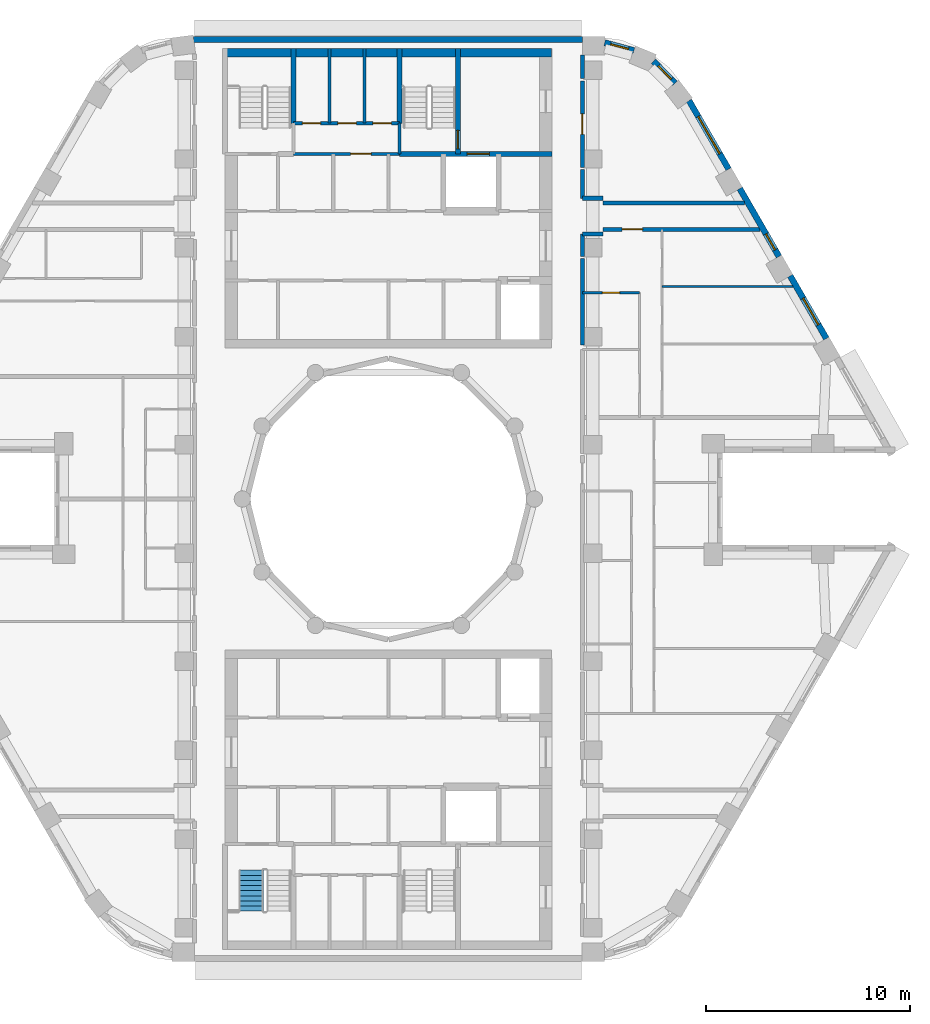
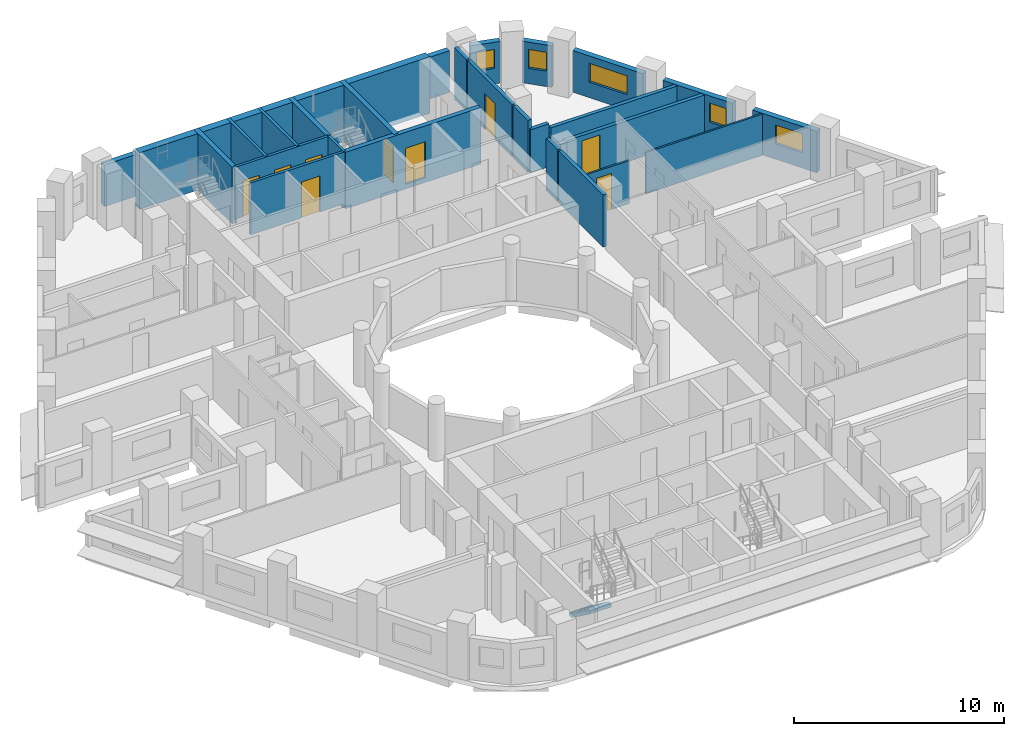
# One storey, part 8 of 12: 27 walls, 9 doors, 5 windows, 1 stair flight, 14 openings, 1 element without a shape of its own.
"""IFC4 building model written with IfcOpenShell, lengths in metres."""

from ifc_helpers import new_model, si_unit, direction, frame, frame_2d, origin, place, context, subcontext, project, spatial, polyline, rectangle, outline, extrude, material, layer, layer_set, type_object, element, fill, aggregate, save


model = new_model("IFC4")

# Units and contexts
model_context = context("Model", 3, precision=1e-05, world=origin(), true_north=direction((0.0, 1.0)))
body_context = subcontext(model_context, "Body", "Model", "MODEL_VIEW")
ifc_project = project(units=[si_unit("LENGTHUNIT", "METRE"), si_unit("AREAUNIT", "SQUARE_METRE"), si_unit("VOLUMEUNIT", "CUBIC_METRE"), si_unit("PLANEANGLEUNIT", "RADIAN"), si_unit("MASSUNIT", "GRAM", prefix="KILO")], contexts=[model_context])

# Site, building, storey
site_placement = place(None, origin())
site = spatial("IfcSite", under=ifc_project, at=site_placement, CompositionType="ELEMENT")
building_placement = place(site_placement, origin())
building = spatial("IfcBuilding", under=site, at=building_placement, Name="Nakaniwa Court", CompositionType="ELEMENT")
storey_placement = place(building_placement, frame((0.0, 0.0, 249.300048828125)))
storey = spatial("IfcBuildingStorey", under=building, at=storey_placement, Name="L65", CompositionType="ELEMENT", Elevation=249.300048828125)

# Walls
ifc_material_1 = material(Name="Acoustic double stud partition")
ifc_layer_1 = layer(ifc_material_1, 0.199951171875)
ifc_layer_set_1 = layer_set([ifc_layer_1], Name="Acoustic double stud partition")
wall_type_1 = type_object("IfcWallType", Name="Acoustic double stud partition 200", PredefinedType="PARTITIONING", material=ifc_layer_set_1)
wall_1_placement = place(storey_placement, frame((89.5, 87.537109375, 0.0), z_axis=(0.0, 0.0, 1.0), x_axis=(0.0, 1.0, 0.0)))
element("IfcWall", 1, at=wall_1_placement, inside=storey, type_object=wall_type_1, Name="Partition PW-065", PredefinedType="PARTITIONING", context=body_context, shape_type="SweptSolid", body=[
    extrude(rectangle(XDim=4.23583984375, YDim=0.199951171875, at=frame_2d((2.117919921875, 0.0))), origin(), (0.0, 0.0, 1.0), 3.02490234375),
])
wall_2_placement = place(storey_placement, frame((89.5, 91.886962890625, 0.0), z_axis=(0.0, 0.0, 1.0), x_axis=(0.0, 1.0, 0.0)))
element("IfcWall", 2, at=wall_2_placement, inside=storey, type_object=wall_type_1, Name="Partition PW-066", PredefinedType="PARTITIONING", context=body_context, shape_type="SweptSolid", body=[
    extrude(rectangle(XDim=1.091064453125, YDim=0.199951171875, at=frame_2d((0.54541015625, 0.0))), origin(), (0.0, 0.0, 1.0), 3.02490234375),
])
wall_3_placement = place(storey_placement, frame((89.5, 94.721923828125, 0.0), z_axis=(0.0, 0.0, 1.0), x_axis=(0.0, 1.0, 0.0)))
element("IfcWall", 3, at=wall_3_placement, inside=storey, type_object=wall_type_1, Name="Partition PW-067", PredefinedType="PARTITIONING", context=body_context, shape_type="SweptSolid", body=[
    extrude(rectangle(XDim=1.401123046875, YDim=0.199951171875, at=frame_2d((0.70068359375, 0.0))), origin(), (0.0, 0.0, 1.0), 3.02490234375),
])

# Wall, opening, door
wall_4_placement = place(storey_placement, frame((89.5, 100.472900390625, 0.0), z_axis=(0.0, 0.0, 1.0), x_axis=(0.0, -1.0, 0.0)))
wall_4 = element("IfcWall", 4, at=wall_4_placement, inside=storey, type_object=wall_type_1, Name="Partition PW-068", PredefinedType="PARTITIONING", context=body_context, shape_type="SweptSolid", body=[
    extrude(rectangle(XDim=4.23583984375, YDim=0.199951171875, at=frame_2d((2.117919921875, 0.0))), origin(), (0.0, 0.0, 1.0), 3.02490234375),
])
opening_1_placement = place(wall_4_placement, frame((1.617919921875, 0.0, 0.0)))
opening_1 = element("IfcOpeningElement", 5, at=opening_1_placement, cuts=wall_4, Name="Opening D-02-04", PredefinedType="OPENING", context=body_context, shape_type="SweptSolid", body=[
    extrude(rectangle(XDim=1.0, YDim=2.10009765625, at=frame_2d((0.5, 1.050048828125))), frame((0.0, 0.10986328125, 0.0), z_axis=(0.0, -1.0, 0.0), x_axis=(1.0, 0.0, 0.0)), (0.0, 0.0, 1.0), 0.219970703125),
])
ifc_material_2 = material(Name="Solid core timber door set, black veneer", Category="wood")
door_type_1 = type_object("IfcDoorType", Name="Internal door 1000", OperationType="NOTDEFINED", PredefinedType="DOOR", material=ifc_material_2)
door_1_placement = place(opening_1_placement, origin())
door_1 = element("IfcDoor", 6, at=door_1_placement, inside=storey, type_object=door_type_1, Name="Door D-02-04 L65-060", OperationType="SINGLE_SWING_LEFT", OverallHeight=2.10009765625, OverallWidth=1.0, PredefinedType="DOOR", context=body_context, shape_type="SweptSolid", body=[
    extrude(rectangle(XDim=1.0, YDim=2.10009765625, at=frame_2d((0.5, 1.050048828125))), frame((0.0, 0.02490234375, 0.0), z_axis=(0.0, -1.0, 0.0), x_axis=(1.0, 0.0, 0.0)), (0.0, 0.0, 1.0), 0.050048828125),
])
fill(opening_1, door_1)

# Wall
wall_5_placement = place(storey_placement, frame((89.5, 100.5869140625, 0.0), z_axis=(0.0, 0.0, 1.0), x_axis=(0.0, 1.0, 0.0)))
element("IfcWall", 7, at=wall_5_placement, inside=storey, type_object=wall_type_1, Name="Partition PW-069", PredefinedType="PARTITIONING", context=body_context, shape_type="SweptSolid", body=[
    extrude(rectangle(XDim=1.14599609375, YDim=0.199951171875, at=frame_2d((0.572998046875, 0.0))), origin(), (0.0, 0.0, 1.0), 3.02490234375),
])

# Wall, opening, door
wall_6_placement = place(storey_placement, frame((98.1865234375, 93.199951171875, 0.0), z_axis=(0.0, 0.0, 1.0), x_axis=(-1.0, 0.0, 0.0)))
wall_6 = element("IfcWall", 8, at=wall_6_placement, inside=storey, type_object=wall_type_1, Name="Partition PW-071", PredefinedType="PARTITIONING", context=body_context, shape_type="SweptSolid", body=[
    extrude(rectangle(XDim=7.6865234375, YDim=0.199951171875, at=frame_2d((3.84326171875, 0.0))), origin(), (0.0, 0.0, 1.0), 2.405029296875),
])
opening_2_placement = place(wall_6_placement, frame((5.737060546875, 0.0, 0.0)))
opening_2 = element("IfcOpeningElement", 9, at=opening_2_placement, cuts=wall_6, Name="Opening D-01-02", PredefinedType="OPENING", context=body_context, shape_type="SweptSolid", body=[
    extrude(rectangle(XDim=1.0, YDim=2.10009765625, at=frame_2d((0.5, 1.050048828125))), frame((0.0, 0.10986328125, 0.0), z_axis=(0.0, -1.0, 0.0), x_axis=(1.0, 0.0, 0.0)), (0.0, 0.0, 1.0), 0.219970703125),
])
door_type_2 = type_object("IfcDoorType", Name="Flat entrance door 1000", OperationType="NOTDEFINED", PredefinedType="DOOR", material=ifc_material_2)
door_2_placement = place(opening_2_placement, origin())
door_2 = element("IfcDoor", 10, at=door_2_placement, inside=storey, type_object=door_type_2, Name="Door D-01-02 L65-040", OperationType="SINGLE_SWING_LEFT", OverallHeight=2.10009765625, OverallWidth=1.0, PredefinedType="DOOR", context=body_context, shape_type="SweptSolid", body=[
    extrude(rectangle(XDim=1.0, YDim=2.10009765625, at=frame_2d((0.5, 1.050048828125))), frame((0.0, 0.02490234375, 0.0), z_axis=(0.0, -1.0, 0.0), x_axis=(1.0, 0.0, 0.0)), (0.0, 0.0, 1.0), 0.050048828125),
])
fill(opening_2, door_2)

# Walls
for number, where, z_axis, x_axis, name in (
    (11, (89.5, 92.97509765625, 0.0), (0.0, 0.0, 1.0), (1.0, 0.0, 0.0), "Partition PW-073"),
    (12, (89.5, 94.72509765625, 0.0), (0.0, 0.0, 1.0), (1.0, 0.0, 0.0), "Partition PW-075"),
):
    element("IfcWall", number, at=place(storey_placement, frame(where, z_axis=z_axis, x_axis=x_axis)), inside=storey, type_object=wall_type_1, Name=name, PredefinedType="PARTITIONING", context=body_context, shape_type="SweptSolid", body=[
        extrude(rectangle(XDim=1.0, YDim=0.199951171875, at=frame_2d((0.5, 0.0))), origin(), (0.0, 0.0, 1.0), 2.5048828125),
    ])
wall_7_placement = place(storey_placement, frame((90.5, 94.5, 0.0), z_axis=(0.0, 0.0, 1.0), x_axis=(1.0, 0.0, 0.0)))
element("IfcWall", 13, at=wall_7_placement, inside=storey, type_object=wall_type_1, Name="Partition PW-077", PredefinedType="PARTITIONING", context=body_context, shape_type="SweptSolid", body=[
    extrude(rectangle(XDim=6.93603515625, YDim=0.199951171875, at=frame_2d((3.468017578125, 0.0))), origin(), (0.0, 0.0, 1.0), 2.405029296875),
])

# Wall, opening, window
ifc_material_3 = material(Name="Charcoal ceramic cladding")
ifc_layer_2 = layer(ifc_material_3, 0.02, Name="Ceramic cladding")
ifc_material_4 = material(Name="Ventilated air cavity")
ifc_layer_3 = layer(ifc_material_4, 0.04, ventilated=True, Name="Ventilated cavity")
ifc_material_5 = material(Name="Mineral wool insulation")
ifc_layer_4 = layer(ifc_material_5, 0.1, Name="Insulation")
ifc_material_6 = material(Name="Cement bonded sheathing board")
ifc_layer_5 = layer(ifc_material_6, 0.012, Name="Sheathing")
ifc_material_7 = material(Name="Cold-formed galvanised stud frame with mineral wool infill")
ifc_layer_6 = layer(ifc_material_7, 0.1, Name="Stud frame")
ifc_material_8 = material(Name="Fire-rated gypsum plasterboard lining")
ifc_layer_7 = layer(ifc_material_8, 0.028, Name="Lining")
ifc_layer_set_2 = layer_set([ifc_layer_2, ifc_layer_3, ifc_layer_4, ifc_layer_5, ifc_layer_6, ifc_layer_7], Name="Charcoal ceramic faced external wall system")
wall_type_2 = type_object("IfcWallType", Name="Black ceramic faced external wall 300", PredefinedType="SOLIDWALL", material=ifc_layer_set_2)
wall_8_placement = place(storey_placement, frame((101.44580078125, 87.85498046875, 0.0), z_axis=(0.0, 0.0, 1.0), x_axis=(-0.500010404316, 0.866019396766, 0.0)))
wall_8 = element("IfcWall", 14, at=wall_8_placement, inside=storey, type_object=wall_type_2, Name="L65 external wall 03", PredefinedType="SOLIDWALL", context=body_context, shape_type="SweptSolid", body=[
    extrude(rectangle(XDim=3.54736328125, YDim=0.300048828125, at=frame_2d((1.773681640625, 0.0))), origin(), (0.0, 0.0, 1.0), 2.425048828125),
])
opening_3_placement = place(wall_8_placement, frame((0.780517578125, 0.0, 0.89990234375)))
opening_3 = element("IfcOpeningElement", 15, at=opening_3_placement, cuts=wall_8, Name="Opening W5.05", PredefinedType="OPENING", context=body_context, shape_type="SweptSolid", body=[
    extrude(rectangle(XDim=1.5, YDim=1.10009765625, at=frame_2d((0.75, 0.550048828125))), frame((0.0, 0.159912109375, 0.0), z_axis=(0.0, -1.0, 0.0), x_axis=(1.0, 0.0, 0.0)), (0.0, 0.0, 1.0), 0.320068359375),
])
ifc_material_9 = material(Name="Black anodised aluminium frame with dark low-E laminated double glazing", Category="aluminium")
window_type_1 = type_object("IfcWindowType", Name="Dark glass window 1500x1100 sill 900", PartitioningType="SINGLE_PANEL", PredefinedType="WINDOW", material=ifc_material_9)
window_1_placement = place(opening_3_placement, origin())
window_1 = element("IfcWindow", 16, at=window_1_placement, inside=storey, type_object=window_type_1, Name="L65 bedroom window 03-0", OverallHeight=1.10009765625, OverallWidth=1.5, PartitioningType="SINGLE_PANEL", PredefinedType="WINDOW", context=body_context, shape_type="SweptSolid", body=[
    extrude(rectangle(XDim=1.5, YDim=1.10009765625, at=frame_2d((0.75, 0.550048828125))), frame((0.0, 0.030029296875, 0.0), z_axis=(0.0, -1.0, 0.0), x_axis=(1.0, 0.0, 0.0)), (0.0, 0.0, 1.0), 0.06005859375),
])
fill(opening_3, window_1)

wall_9_placement = place(storey_placement, frame((99.126220703125, 91.87255859375, 0.0), z_axis=(0.0, 0.0, 1.0), x_axis=(-0.499984490703, 0.866034357896, 0.0)))
wall_9 = element("IfcWall", 17, at=wall_9_placement, inside=storey, type_object=wall_type_2, Name="L65 external wall 04", PredefinedType="SOLIDWALL", context=body_context, shape_type="SweptSolid", body=[
    extrude(rectangle(XDim=3.84423828125, YDim=0.300048828125, at=frame_2d((1.922119140625, 0.0))), origin(), (0.0, 0.0, 1.0), 2.425048828125),
])
opening_4_placement = place(wall_9_placement, frame((0.37744140625, 0.0, 0.89990234375)))
opening_4 = element("IfcOpeningElement", 18, at=opening_4_placement, cuts=wall_9, Name="Opening W9.06", PredefinedType="OPENING", context=body_context, shape_type="SweptSolid", body=[
    extrude(rectangle(XDim=0.89990234375, YDim=1.10009765625, at=frame_2d((0.449951171875, 0.550048828125))), frame((0.0, 0.159912109375, 0.0), z_axis=(0.0, -1.0, 0.0), x_axis=(1.0, 0.0, 0.0)), (0.0, 0.0, 1.0), 0.320068359375),
])
window_type_2 = type_object("IfcWindowType", Name="Dark glass window 900x1100 sill 900", PartitioningType="SINGLE_PANEL", PredefinedType="WINDOW", material=ifc_material_9)
window_2_placement = place(opening_4_placement, origin())
window_2 = element("IfcWindow", 19, at=window_2_placement, inside=storey, type_object=window_type_2, Name="L65 bedroom window 04-0", OverallHeight=1.10009765625, OverallWidth=0.89990234375, PartitioningType="SINGLE_PANEL", PredefinedType="WINDOW", context=body_context, shape_type="SweptSolid", body=[
    extrude(rectangle(XDim=0.89990234375, YDim=1.10009765625, at=frame_2d((0.449951171875, 0.550048828125))), frame((0.0, 0.030029296875, 0.0), z_axis=(0.0, -1.0, 0.0), x_axis=(1.0, 0.0, 0.0)), (0.0, 0.0, 1.0), 0.06005859375),
])
fill(opening_4, window_2)

wall_10_placement = place(storey_placement, frame((96.657958984375, 96.1474609375, 0.0), z_axis=(0.0, 0.0, 1.0), x_axis=(-0.500011218404, 0.866018926739, 0.0)))
wall_10 = element("IfcWall", 20, at=wall_10_placement, inside=storey, type_object=wall_type_2, Name="L65 external wall 05", PredefinedType="SOLIDWALL", context=body_context, shape_type="SweptSolid", body=[
    extrude(rectangle(XDim=3.87890625, YDim=0.300048828125, at=frame_2d((1.939453125, 0.0))), origin(), (0.0, 0.0, 1.0), 2.425048828125),
])
opening_5_placement = place(wall_10_placement, frame((0.878173828125, 0.0, 0.89990234375)))
opening_5 = element("IfcOpeningElement", 21, at=opening_5_placement, cuts=wall_10, Name="Opening W7.07", PredefinedType="OPENING", context=body_context, shape_type="SweptSolid", body=[
    extrude(rectangle(XDim=2.10009765625, YDim=1.10009765625, at=frame_2d((1.050048828125, 0.550048828125))), frame((0.0, 0.159912109375, 0.0), z_axis=(0.0, -1.0, 0.0), x_axis=(1.0, 0.0, 0.0)), (0.0, 0.0, 1.0), 0.320068359375),
])
window_type_3 = type_object("IfcWindowType", Name="Dark glass window 2100x1100 sill 900", PartitioningType="SINGLE_PANEL", PredefinedType="WINDOW", material=ifc_material_9)
window_3_placement = place(opening_5_placement, origin())
window_3 = element("IfcWindow", 22, at=window_3_placement, inside=storey, type_object=window_type_3, Name="L65 habitable room window 05-0", OverallHeight=1.10009765625, OverallWidth=2.10009765625, PartitioningType="SINGLE_PANEL", PredefinedType="WINDOW", context=body_context, shape_type="SweptSolid", body=[
    extrude(rectangle(XDim=2.10009765625, YDim=1.10009765625, at=frame_2d((1.050048828125, 0.550048828125))), frame((0.0, 0.030029296875, 0.0), z_axis=(0.0, -1.0, 0.0), x_axis=(1.0, 0.0, 0.0)), (0.0, 0.0, 1.0), 0.06005859375),
])
fill(opening_5, window_3)

wall_11_placement = place(storey_placement, frame((94.0341796875, 100.3583984375, 0.0), z_axis=(0.0, 0.0, 1.0), x_axis=(-0.698675602211, 0.71543860874, 0.0)))
wall_11 = element("IfcWall", 23, at=wall_11_placement, inside=storey, type_object=wall_type_2, Name="L65 external wall 06", PredefinedType="SOLIDWALL", context=body_context, shape_type="SweptSolid", body=[
    extrude(rectangle(XDim=1.5, YDim=0.300048828125, at=frame_2d((0.75, 0.0))), origin(), (0.0, 0.0, 1.0), 2.425048828125),
])
opening_6_placement = place(wall_11_placement, frame((0.27587890625, 0.0, 0.89990234375)))
opening_6 = element("IfcOpeningElement", 24, at=opening_6_placement, cuts=wall_11, Name="Opening W9.08", PredefinedType="OPENING", context=body_context, shape_type="SweptSolid", body=[
    extrude(rectangle(XDim=0.89990234375, YDim=1.10009765625, at=frame_2d((0.449951171875, 0.550048828125))), frame((0.0, 0.159912109375, 0.0), z_axis=(0.0, -1.0, 0.0), x_axis=(1.0, 0.0, 0.0)), (0.0, 0.0, 1.0), 0.320068359375),
])
window_4_placement = place(opening_6_placement, origin())
window_4 = element("IfcWindow", 25, at=window_4_placement, inside=storey, type_object=window_type_2, Name="L65 habitable room window 06-0", OverallHeight=1.10009765625, OverallWidth=0.89990234375, PartitioningType="SINGLE_PANEL", PredefinedType="WINDOW", context=body_context, shape_type="SweptSolid", body=[
    extrude(rectangle(XDim=0.89990234375, YDim=1.10009765625, at=frame_2d((0.449951171875, 0.550048828125))), frame((0.0, 0.030029296875, 0.0), z_axis=(0.0, -1.0, 0.0), x_axis=(1.0, 0.0, 0.0)), (0.0, 0.0, 1.0), 0.06005859375),
])
fill(opening_6, window_4)

wall_12_placement = place(storey_placement, frame((92.02099609375, 101.956298828125, 0.0), z_axis=(0.0, 0.0, 1.0), x_axis=(-0.965392564919, 0.260801065181, 0.0)))
wall_12 = element("IfcWall", 26, at=wall_12_placement, inside=storey, type_object=wall_type_2, Name="L65 external wall 07", PredefinedType="SOLIDWALL", context=body_context, shape_type="SweptSolid", body=[
    extrude(rectangle(XDim=1.48095703125, YDim=0.300048828125, at=frame_2d((0.740478515625, 0.0))), origin(), (0.0, 0.0, 1.0), 2.425048828125),
])
opening_7_placement = place(wall_12_placement, frame((0.280029296875, 0.0, 0.89990234375)))
opening_7 = element("IfcOpeningElement", 27, at=opening_7_placement, cuts=wall_12, Name="Opening W9.09", PredefinedType="OPENING", context=body_context, shape_type="SweptSolid", body=[
    extrude(rectangle(XDim=0.89990234375, YDim=1.10009765625, at=frame_2d((0.449951171875, 0.550048828125))), frame((0.0, 0.159912109375, 0.0), z_axis=(0.0, -1.0, 0.0), x_axis=(1.0, 0.0, 0.0)), (0.0, 0.0, 1.0), 0.320068359375),
])
window_5_placement = place(opening_7_placement, origin())
window_5 = element("IfcWindow", 28, at=window_5_placement, inside=storey, type_object=window_type_2, Name="L65 habitable room window 07-0", OverallHeight=1.10009765625, OverallWidth=0.89990234375, PartitioningType="SINGLE_PANEL", PredefinedType="WINDOW", context=body_context, shape_type="SweptSolid", body=[
    extrude(rectangle(XDim=0.89990234375, YDim=1.10009765625, at=frame_2d((0.449951171875, 0.550048828125))), frame((0.0, 0.030029296875, 0.0), z_axis=(0.0, -1.0, 0.0), x_axis=(1.0, 0.0, 0.0)), (0.0, 0.0, 1.0), 0.06005859375),
])
fill(opening_7, window_5)

# Wall
wall_13_placement = place(storey_placement, frame((89.499267578125, 102.5, 0.0), z_axis=(0.0, 0.0, 1.0), x_axis=(-1.0, 0.0, 0.0)))
element("IfcWall", 29, at=wall_13_placement, inside=storey, type_object=wall_type_2, Name="L65 external wall 08", PredefinedType="SOLIDWALL", context=body_context, shape_type="SweptSolid", body=[
    extrude(rectangle(XDim=19.033447265625, YDim=0.300048828125, at=frame_2d((9.5166015625, 0.0))), origin(), (0.0, 0.0, 1.0), 2.425048828125),
])

# Wall, opening, door
ifc_material_10 = material(Name="Blockwork partition", Category="masonry")
ifc_layer_8 = layer(ifc_material_10, 0.14990234375)
ifc_layer_set_3 = layer_set([ifc_layer_8], Name="Blockwork partition")
wall_type_3 = type_object("IfcWallType", Name="Blockwork partition 150", PredefinedType="PARTITIONING", material=ifc_layer_set_3)
wall_14_placement = place(storey_placement, frame((75.346923828125, 96.89990234375, 0.0), z_axis=(0.0, 0.0, 1.0), x_axis=(1.0, 0.0, 0.0)))
wall_14 = element("IfcWall", 30, at=wall_14_placement, inside=storey, type_object=wall_type_3, Name="Partition PW-019", PredefinedType="PARTITIONING", context=body_context, shape_type="SweptSolid", body=[
    extrude(rectangle(XDim=5.2060546875, YDim=0.14990234375, at=frame_2d((2.60302734375, 0.0))), origin(), (0.0, 0.0, 1.0), 3.02490234375),
])
opening_8_placement = place(wall_14_placement, frame((2.802978515625, 0.0, 0.0)))
opening_8 = element("IfcOpeningElement", 31, at=opening_8_placement, cuts=wall_14, Name="Opening D-23-01", PredefinedType="OPENING", context=body_context, shape_type="SweptSolid", body=[
    extrude(rectangle(XDim=1.0, YDim=2.10009765625, at=frame_2d((0.5, 1.050048828125))), frame((0.0, 0.0849609375, 0.0), z_axis=(0.0, -1.0, 0.0), x_axis=(1.0, 0.0, 0.0)), (0.0, 0.0, 1.0), 0.169921875),
])
ifc_material_11 = material(Name="Fire rated steel door set", Category="steel")
door_type_3 = type_object("IfcDoorType", Name="Service room door 1000", OperationType="NOTDEFINED", PredefinedType="DOOR", material=ifc_material_11)
door_3_placement = place(opening_8_placement, origin())
door_3 = element("IfcDoor", 32, at=door_3_placement, inside=storey, type_object=door_type_3, Name="Door D-23-01 L65-010", OperationType="SINGLE_SWING_LEFT", OverallHeight=2.10009765625, OverallWidth=1.0, PredefinedType="DOOR", context=body_context, shape_type="SweptSolid", body=[
    extrude(rectangle(XDim=1.0, YDim=2.10009765625, at=frame_2d((0.5, 1.050048828125))), frame((0.0, 0.02490234375, 0.0), z_axis=(0.0, -1.0, 0.0), x_axis=(1.0, 0.0, 0.0)), (0.0, 0.0, 1.0), 0.050048828125),
])
fill(opening_8, door_3)

# Wall, openings, doors
wall_15_placement = place(storey_placement, frame((75.35009765625, 98.39990234375, 0.0), z_axis=(0.0, 0.0, 1.0), x_axis=(1.0, 0.0, 0.0)))
wall_15 = element("IfcWall", 33, at=wall_15_placement, inside=storey, type_object=wall_type_3, Name="Partition PW-027", PredefinedType="PARTITIONING", context=body_context, shape_type="SweptSolid", body=[
    extrude(rectangle(XDim=5.199951171875, YDim=0.14990234375, at=frame_2d((2.60009765625, 0.0))), origin(), (0.0, 0.0, 1.0), 3.02490234375),
])
opening_9_placement = place(wall_15_placement, frame((0.43408203125, 0.0, 0.0)))
opening_9 = element("IfcOpeningElement", 34, at=opening_9_placement, cuts=wall_15, Name="Opening D-05-08", PredefinedType="OPENING", context=body_context, shape_type="SweptSolid", body=[
    extrude(rectangle(XDim=0.89990234375, YDim=2.10009765625, at=frame_2d((0.449951171875, 1.050048828125))), frame((0.0, 0.0849609375, 0.0), z_axis=(0.0, -1.0, 0.0), x_axis=(1.0, 0.0, 0.0)), (0.0, 0.0, 1.0), 0.169921875),
])
opening_10_placement = place(wall_15_placement, frame((2.176025390625, 0.0, 0.0)))
opening_10 = element("IfcOpeningElement", 35, at=opening_10_placement, cuts=wall_15, Name="Opening D-05-09", PredefinedType="OPENING", context=body_context, shape_type="SweptSolid", body=[
    extrude(rectangle(XDim=0.89990234375, YDim=2.10009765625, at=frame_2d((0.449951171875, 1.050048828125))), frame((0.0, 0.0849609375, 0.0), z_axis=(0.0, -1.0, 0.0), x_axis=(1.0, 0.0, 0.0)), (0.0, 0.0, 1.0), 0.169921875),
])
opening_11_placement = place(wall_15_placement, frame((3.89208984375, 0.0, 0.0)))
opening_11 = element("IfcOpeningElement", 36, at=opening_11_placement, cuts=wall_15, Name="Opening D-05-10", PredefinedType="OPENING", context=body_context, shape_type="SweptSolid", body=[
    extrude(rectangle(XDim=0.89990234375, YDim=2.10009765625, at=frame_2d((0.449951171875, 1.050048828125))), frame((0.0, 0.0849609375, 0.0), z_axis=(0.0, -1.0, 0.0), x_axis=(1.0, 0.0, 0.0)), (0.0, 0.0, 1.0), 0.169921875),
])
door_type_4 = type_object("IfcDoorType", Name="Service room door 900", OperationType="NOTDEFINED", PredefinedType="DOOR", material=ifc_material_11)
door_4_placement = place(opening_9_placement, origin())
door_4 = element("IfcDoor", 37, at=door_4_placement, inside=storey, type_object=door_type_4, Name="Door D-05-08 L65-011", OperationType="SINGLE_SWING_RIGHT", OverallHeight=2.10009765625, OverallWidth=0.89990234375, PredefinedType="DOOR", context=body_context, shape_type="SweptSolid", body=[
    extrude(rectangle(XDim=0.89990234375, YDim=2.10009765625, at=frame_2d((0.449951171875, 1.050048828125))), frame((0.0, 0.02490234375, 0.0), z_axis=(0.0, -1.0, 0.0), x_axis=(1.0, 0.0, 0.0)), (0.0, 0.0, 1.0), 0.050048828125),
])
fill(opening_9, door_4)
door_5_placement = place(opening_10_placement, origin())
door_5 = element("IfcDoor", 38, at=door_5_placement, inside=storey, type_object=door_type_4, Name="Door D-05-09 L65-012", OperationType="SINGLE_SWING_LEFT", OverallHeight=2.10009765625, OverallWidth=0.89990234375, PredefinedType="DOOR", context=body_context, shape_type="SweptSolid", body=[
    extrude(rectangle(XDim=0.89990234375, YDim=2.10009765625, at=frame_2d((0.449951171875, 1.050048828125))), frame((0.0, 0.02490234375, 0.0), z_axis=(0.0, -1.0, 0.0), x_axis=(1.0, 0.0, 0.0)), (0.0, 0.0, 1.0), 0.050048828125),
])
fill(opening_10, door_5)
door_6_placement = place(opening_11_placement, origin())
door_6 = element("IfcDoor", 39, at=door_6_placement, inside=storey, type_object=door_type_4, Name="Door D-05-10 L65-013", OperationType="SINGLE_SWING_RIGHT", OverallHeight=2.10009765625, OverallWidth=0.89990234375, PredefinedType="DOOR", context=body_context, shape_type="SweptSolid", body=[
    extrude(rectangle(XDim=0.89990234375, YDim=2.10009765625, at=frame_2d((0.449951171875, 1.050048828125))), frame((0.0, 0.02490234375, 0.0), z_axis=(0.0, -1.0, 0.0), x_axis=(1.0, 0.0, 0.0)), (0.0, 0.0, 1.0), 0.050048828125),
])
fill(opening_11, door_6)

# Walls
for number, where, z_axis, x_axis, name in (
    (40, (77.117919921875, 98.39990234375, 0.0), (0.0, 0.0, 1.0), (0.0, 1.0, 0.0), "Partition PW-028"),
    (41, (78.833984375, 98.39990234375, 0.0), (0.0, 0.0, 1.0), (0.0, 1.0, 0.0), "Partition PW-029"),
):
    element("IfcWall", number, at=place(storey_placement, frame(where, z_axis=z_axis, x_axis=x_axis)), inside=storey, type_object=wall_type_3, Name=name, PredefinedType="PARTITIONING", context=body_context, shape_type="SweptSolid", body=[
        extrude(rectangle(XDim=3.650146484375, YDim=0.14990234375, at=frame_2d((1.8251953125, 0.0))), origin(), (0.0, 0.0, 1.0), 3.02490234375),
    ])
ifc_material_12 = material(Name="Concrete C80/100", Category="concrete")
ifc_layer_9 = layer(ifc_material_12, 0.14990234375)
ifc_layer_set_4 = layer_set([ifc_layer_9], Name="Concrete C80/100")
wall_type_4 = type_object("IfcWallType", Name="Concrete core wall 150 C80", PredefinedType="SHEAR", material=ifc_layer_set_4)
wall_16_placement = place(storey_placement, frame((80.550048828125, 96.89990234375, -0.275146484375), z_axis=(0.0, 0.0, 1.0), x_axis=(0.0, 1.0, 0.0)))
element("IfcWall", 42, at=wall_16_placement, inside=storey, type_object=wall_type_4, Name="Core wall SW-25", PredefinedType="SHEAR", context=body_context, shape_type="SweptSolid", body=[
    extrude(rectangle(XDim=1.503173828125, YDim=0.14990234375, at=frame_2d((0.75146484375, 0.0))), origin(), (0.0, 0.0, 1.0), 3.300048828125),
])
ifc_layer_10 = layer(ifc_material_12, 0.39990234375)
ifc_layer_set_5 = layer_set([ifc_layer_10], Name="Concrete C80/100")
wall_type_5 = type_object("IfcWallType", Name="Concrete core wall 400 C80", PredefinedType="SHEAR", material=ifc_layer_set_5)
wall_17_placement = place(storey_placement, frame((72.00390625, 101.85009765625, -0.275146484375), z_axis=(0.0, 0.0, 1.0), x_axis=(1.0, 0.0, 0.0)))
element("IfcWall", 43, at=wall_17_placement, inside=storey, type_object=wall_type_5, Name="Core wall SW-126", PredefinedType="SHEAR", context=body_context, shape_type="SweptSolid", body=[
    extrude(rectangle(XDim=15.9921875, YDim=0.39990234375, at=frame_2d((7.99609375, 0.0))), origin(), (0.0, 0.0, 1.0), 3.300048828125),
])

# Wall, opening, door
ifc_layer_11 = layer(ifc_material_12, 0.25)
ifc_layer_set_6 = layer_set([ifc_layer_11], Name="Concrete C80/100")
wall_type_6 = type_object("IfcWallType", Name="Concrete shaft wall 250 C80", PredefinedType="SHEAR", material=ifc_layer_set_6)
wall_18_placement = place(storey_placement, frame((80.547119140625, 96.89990234375, -0.275146484375), z_axis=(0.0, 0.0, 1.0), x_axis=(1.0, 0.0, 0.0)))
wall_18 = element("IfcWall", 44, at=wall_18_placement, inside=storey, type_object=wall_type_6, Name="Core wall SW-18", PredefinedType="SHEAR", context=body_context, shape_type="SweptSolid", body=[
    extrude(rectangle(XDim=7.452880859375, YDim=0.25, at=frame_2d((3.7265625, 0.0))), origin(), (0.0, 0.0, 1.0), 3.300048828125),
])
opening_12_placement = place(wall_18_placement, frame((3.302001953125, 0.0, 0.27490234375)))
opening_12 = element("IfcOpeningElement", 45, at=opening_12_placement, cuts=wall_18, Name="Opening LD02", PredefinedType="OPENING", context=body_context, shape_type="SweptSolid", body=[
    extrude(rectangle(XDim=1.10009765625, YDim=2.10009765625, at=frame_2d((0.550048828125, 1.050048828125))), frame((0.0, 0.135009765625, 0.0), z_axis=(0.0, -1.0, 0.0), x_axis=(1.0, 0.0, 0.0)), (0.0, 0.0, 1.0), 0.27001953125),
])
ifc_material_13 = material(Name="Stainless steel sliding lift landing door", Category="steel")
door_type_5 = type_object("IfcDoorType", Name="Lift landing door 1100", OperationType="NOTDEFINED", PredefinedType="DOOR", material=ifc_material_13)
door_7_placement = place(opening_12_placement, origin())
door_7 = element("IfcDoor", 46, at=door_7_placement, inside=storey, type_object=door_type_5, Name="Lift landing door LD02 L65-002", OperationType="SLIDING_TO_LEFT", OverallHeight=2.10009765625, OverallWidth=1.10009765625, PredefinedType="DOOR", context=body_context, shape_type="SweptSolid", body=[
    extrude(rectangle(XDim=1.10009765625, YDim=2.10009765625, at=frame_2d((0.550048828125, 1.050048828125))), frame((0.0, 0.02490234375, 0.0), z_axis=(0.0, -1.0, 0.0), x_axis=(1.0, 0.0, 0.0)), (0.0, 0.0, 1.0), 0.050048828125),
])
fill(opening_12, door_7)

# Wall
wall_19_placement = place(storey_placement, frame((75.35009765625, 98.39697265625, -0.275146484375), z_axis=(0.0, 0.0, 1.0), x_axis=(0.0, 1.0, 0.0)))
element("IfcWall", 47, at=wall_19_placement, inside=storey, type_object=wall_type_6, Name="Core wall SW-22", PredefinedType="SHEAR", context=body_context, shape_type="SweptSolid", body=[
    extrude(rectangle(XDim=3.653076171875, YDim=0.25, at=frame_2d((1.82666015625, 0.0))), origin(), (0.0, 0.0, 1.0), 3.300048828125),
])

# Wall, opening, door
wall_20_placement = place(storey_placement, frame((83.39990234375, 102.050048828125, -0.275146484375), z_axis=(0.0, 0.0, 1.0), x_axis=(0.0, -1.0, 0.0)))
wall_20 = element("IfcWall", 48, at=wall_20_placement, inside=storey, type_object=wall_type_6, Name="Core wall SW-24", PredefinedType="SHEAR", context=body_context, shape_type="SweptSolid", body=[
    extrude(rectangle(XDim=5.150146484375, YDim=0.25, at=frame_2d((2.5751953125, 0.0))), origin(), (0.0, 0.0, 1.0), 3.300048828125),
])
opening_13_placement = place(wall_20_placement, frame((4.0, 0.0, 0.27490234375)))
opening_13 = element("IfcOpeningElement", 49, at=opening_13_placement, cuts=wall_20, Name="Opening D-11-01", PredefinedType="OPENING", context=body_context, shape_type="SweptSolid", body=[
    extrude(rectangle(XDim=0.89990234375, YDim=2.10009765625, at=frame_2d((0.449951171875, 1.050048828125))), frame((0.0, 0.135009765625, 0.0), z_axis=(0.0, -1.0, 0.0), x_axis=(1.0, 0.0, 0.0)), (0.0, 0.0, 1.0), 0.27001953125),
])
door_type_6 = type_object("IfcDoorType", Name="Stair door 900", OperationType="NOTDEFINED", PredefinedType="DOOR", material=ifc_material_11)
door_8_placement = place(opening_13_placement, origin())
door_8 = element("IfcDoor", 50, at=door_8_placement, inside=storey, type_object=door_type_6, Name="Door D-11-01 L65-015", OperationType="SINGLE_SWING_LEFT", OverallHeight=2.10009765625, OverallWidth=0.89990234375, PredefinedType="DOOR", context=body_context, shape_type="SweptSolid", body=[
    extrude(rectangle(XDim=0.89990234375, YDim=2.10009765625, at=frame_2d((0.449951171875, 1.050048828125))), frame((0.0, 0.02490234375, 0.0), z_axis=(0.0, -1.0, 0.0), x_axis=(1.0, 0.0, 0.0)), (0.0, 0.0, 1.0), 0.050048828125),
])
fill(opening_13, door_8)

# Wall
wall_21_placement = place(storey_placement, frame((80.550048828125, 98.39697265625, -0.275146484375), z_axis=(0.0, 0.0, 1.0), x_axis=(0.0, 1.0, 0.0)))
element("IfcWall", 51, at=wall_21_placement, inside=storey, type_object=wall_type_6, Name="Core wall SW-26", PredefinedType="SHEAR", context=body_context, shape_type="SweptSolid", body=[
    extrude(rectangle(XDim=3.653076171875, YDim=0.25, at=frame_2d((1.82666015625, 0.0))), origin(), (0.0, 0.0, 1.0), 3.300048828125),
])

# Wall, opening, door
ifc_material_14 = material(Name="Single stud plasterboard partition")
ifc_layer_12 = layer(ifc_material_14, 0.10009765625)
ifc_layer_set_7 = layer_set([ifc_layer_12], Name="Single stud plasterboard partition")
wall_type_7 = type_object("IfcWallType", Name="Single stud plasterboard partition 100", PredefinedType="PARTITIONING", material=ifc_layer_set_7)
wall_22_placement = place(storey_placement, frame((92.300048828125, 90.10009765625, 0.0), z_axis=(0.0, 0.0, 1.0), x_axis=(-1.0, 0.0, 0.0)))
wall_22 = element("IfcWall", 52, at=wall_22_placement, inside=storey, type_object=wall_type_7, Name="Partition PW-108", PredefinedType="PARTITIONING", context=body_context, shape_type="SweptSolid", body=[
    extrude(rectangle(XDim=2.800048828125, YDim=0.10009765625, at=frame_2d((1.39990234375, 0.0))), origin(), (0.0, 0.0, 1.0), 2.5048828125),
])
opening_14_placement = place(wall_22_placement, frame((0.97509765625, 0.0, 0.0)))
opening_14 = element("IfcOpeningElement", 53, at=opening_14_placement, cuts=wall_22, Name="Opening D-03-03", PredefinedType="OPENING", context=body_context, shape_type="SweptSolid", body=[
    extrude(rectangle(XDim=0.85009765625, YDim=2.10009765625, at=frame_2d((0.425048828125, 1.050048828125))), frame((0.0, 0.06005859375, 0.0), z_axis=(0.0, -1.0, 0.0), x_axis=(1.0, 0.0, 0.0)), (0.0, 0.0, 1.0), 0.1201171875),
])
ifc_material_15 = material(Name="Moisture sealed timber door set", Category="wood")
door_type_7 = type_object("IfcDoorType", Name="Bathroom door 850", OperationType="NOTDEFINED", PredefinedType="DOOR", material=ifc_material_15)
door_9_placement = place(opening_14_placement, origin())
door_9 = element("IfcDoor", 54, at=door_9_placement, inside=storey, type_object=door_type_7, Name="Door D-03-03 L65-042", OperationType="SINGLE_SWING_LEFT", OverallHeight=2.10009765625, OverallWidth=0.85009765625, PredefinedType="DOOR", context=body_context, shape_type="SweptSolid", body=[
    extrude(rectangle(XDim=0.85009765625, YDim=2.10009765625, at=frame_2d((0.425048828125, 1.050048828125))), frame((0.0, 0.02490234375, 0.0), z_axis=(0.0, -1.0, 0.0), x_axis=(1.0, 0.0, 0.0)), (0.0, 0.0, 1.0), 0.050048828125),
])
fill(opening_14, door_9)

# Wall
wall_23_placement = place(storey_placement, frame((93.39990234375, 90.39990234375, 0.0), z_axis=(0.0, 0.0, 1.0), x_axis=(1.0, 0.0, 0.0)))
element("IfcWall", 55, at=wall_23_placement, inside=storey, type_object=wall_type_7, Name="Partition PW-111", PredefinedType="PARTITIONING", context=body_context, shape_type="SweptSolid", body=[
    extrude(rectangle(XDim=6.4033203125, YDim=0.10009765625, at=frame_2d((3.20166015625, 0.0))), origin(), (0.0, 0.0, 1.0), 2.405029296875),
])

# Stair, stair flight
stair_type = type_object("IfcStairType", Name="Dog leg stair 1200 wide 18 risers", PredefinedType="HALF_TURN_STAIR", material=ifc_material_12)
stair_placement = place(storey_placement, origin())
stair = element("IfcStair", 56, at=stair_placement, inside=storey, type_object=stair_type, Name="L65 Stair ST3", PredefinedType="HALF_TURN_STAIR")
stair_flight_type = type_object("IfcStairFlightType", Name="Stair flight 1200 wide 9 risers", PredefinedType="STRAIGHT", material=ifc_material_12)
stair_flight_placement = place(storey_placement, frame((73.27490234375, 61.824951171875, 0.0), z_axis=(0.0, 0.0, 1.0), x_axis=(0.0, -1.0, 0.0)))
stair_flight = element("IfcStairFlight", 57, at=stair_flight_placement, type_object=stair_flight_type, Name="ST3 flight 1", NumberOfRisers=9, NumberOfTreads=8, PredefinedType="STRAIGHT", RiserHeight=0.183333333, TreadLength=0.25, context=body_context, shape_type="SweptSolid", body=[
    extrude(outline(polyline([(0.0, 0.0), (0.0, 0.026123046875), (0.0, 0.052490234375), (0.0, 0.07861328125), (0.0, 0.104736328125), (0.0, 0.130859375), (0.0, 0.1572265625), (0.0, 0.183349609375), (0.25, 0.183349609375), (0.25, 0.36669921875), (0.5, 0.36669921875), (0.5, 0.550048828125), (0.75, 0.550048828125), (0.75, 0.7333984375), (1.0, 0.7333984375), (1.0, 0.916748046875), (1.25, 0.916748046875), (1.25, 1.10009765625), (1.5, 1.10009765625), (1.5, 1.283447265625), (1.75, 1.283447265625), (1.75, 1.466552734375), (2.0, 1.466552734375), (2.0, 1.64990234375), (2.0, 1.59716796875), (2.0, 1.54443359375), (2.0, 1.49169921875), (2.0, 1.43896484375), (2.0, 1.38623046875), (2.0, 1.33349609375), (2.0, 1.28076171875), (0.25341796875, 0.0), (0.0, 0.0)])), frame((0.0, 0.60009765625, 0.0), z_axis=(0.0, -1.0, 0.0), x_axis=(1.0, 0.0, 0.0)), (0.0, 0.0, 1.0), 1.199951171875),
])
aggregate(stair, [stair_flight])

save(model, "model.ifc")
